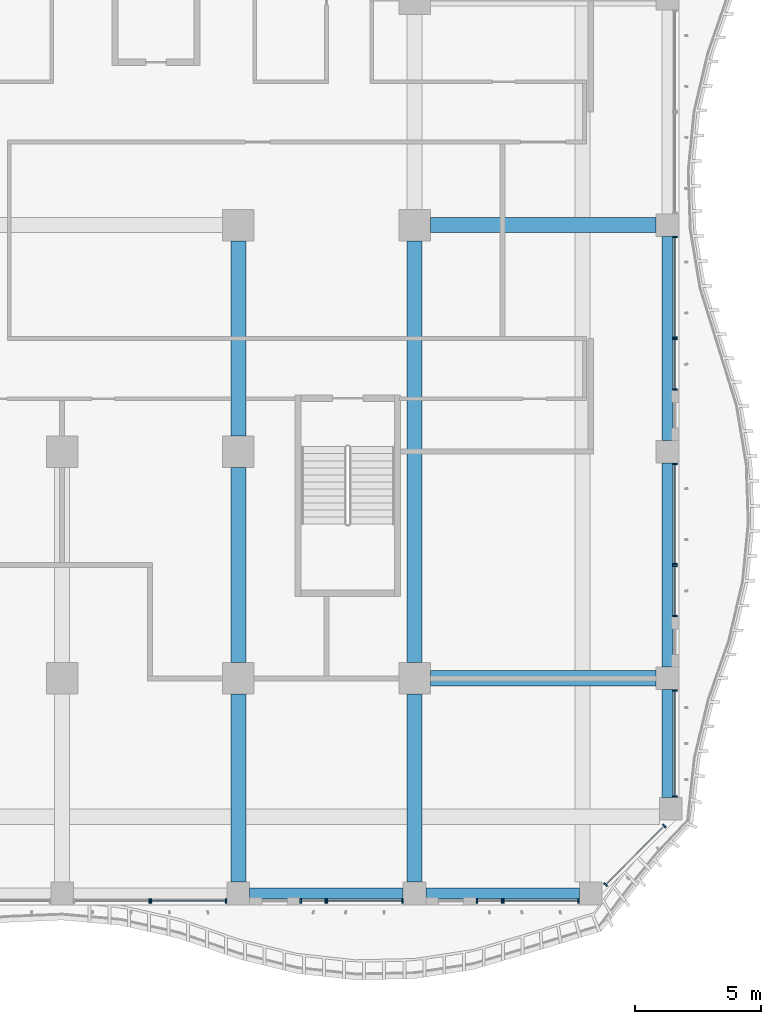
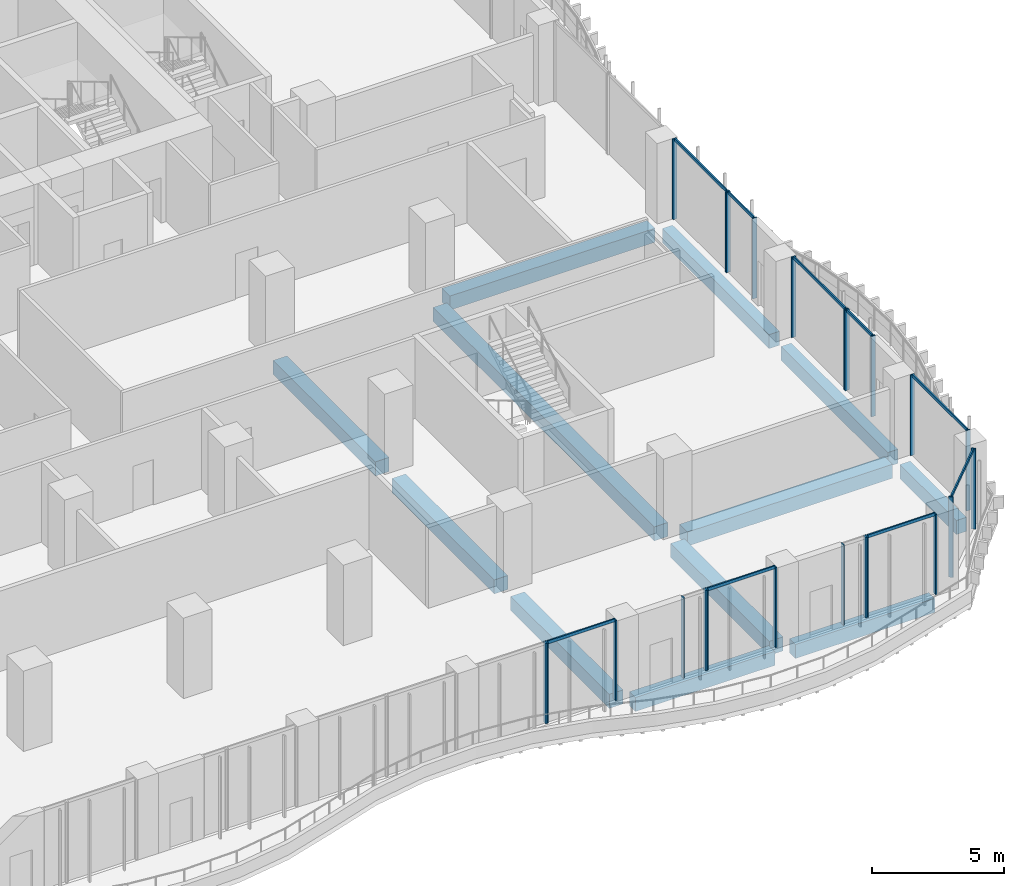
# One storey, part 4 of 25: 32 members, 12 beams, 12 elements without a shape of their own.
"""IFC4 building model written with IfcOpenShell, lengths in metres."""

from ifc_helpers import new_model, si_unit, direction, frame, origin, origin_2d, place, context, subcontext, project, spatial, rectangle, extrude, source, transform, mapped, material, material_profile, profile_set, type_object, element, aggregate, save


model = new_model("IFC4")

# Units and contexts
model_context = context("Model", 3, precision=1e-05, world=origin(), true_north=direction((0.0, 1.0)))
body_context = subcontext(model_context, "Body", "Model", "MODEL_VIEW")
ifc_project = project(units=[si_unit("LENGTHUNIT", "METRE"), si_unit("AREAUNIT", "SQUARE_METRE"), si_unit("VOLUMEUNIT", "CUBIC_METRE"), si_unit("PLANEANGLEUNIT", "RADIAN"), si_unit("MASSUNIT", "GRAM", prefix="KILO")], contexts=[model_context])

# Site, building, storey
site_placement = place(None, origin())
site = spatial("IfcSite", under=ifc_project, at=site_placement, CompositionType="ELEMENT")
building_placement = place(site_placement, origin())
building = spatial("IfcBuilding", under=site, at=building_placement, Name="Kilnfold Tower and Market Hall", CompositionType="ELEMENT")
storey_placement = place(building_placement, frame((0.0, 0.0, 67.199951171875)))
storey = spatial("IfcBuildingStorey", under=building, at=storey_placement, Name="L15", CompositionType="ELEMENT", Elevation=67.199951171875)

# Beams
ifc_material_1 = material(Name="Concrete C45", Category="concrete")
ifc_material_profile_1 = material_profile(ifc_material_1, rectangle(XDim=0.449951171875, YDim=0.64990234375, at=origin_2d()), Name="RC 450x650")
ifc_profile_set_1 = profile_set([ifc_material_profile_1], Name="Concrete C45")
beam_type_1 = type_object("IfcBeamType", Name="EDGE BEAM 450X650 C45", PredefinedType="BEAM", material=ifc_profile_set_1)
shared_shape_1 = source(origin(), body_context, "Body", "SweptSolid", [
    extrude(rectangle(XDim=0.449951171875, YDim=0.64990234375, at=origin_2d()), origin(), (0.0, 0.0, 1.0), 6.10009765625),
])
for number, where, z_axis, x_axis, name in (
    (1, (15.949951171875, -27.550048828125, -0.60498046875), (1.0, 0.0, 0.0), (0.0, 1.0, 0.0), "Beam EB650-B2.65"),
    (2, (22.949951171875, -27.550048828125, -0.60498046875), (1.0, 0.0, 0.0), (0.0, 1.0, 0.0), "Beam EB650-B2.66"),
):
    element("IfcBeam", number, at=place(storey_placement, frame(where, z_axis=z_axis, x_axis=x_axis)), inside=storey, type_object=beam_type_1, Name=name, PredefinedType="BEAM", context=body_context, shape_type="MappedRepresentation", body=[
        mapped(shared_shape_1, transform((0.0, 0.0, 0.0))),
    ])
shared_shape_2 = source(origin(), body_context, "Body", "SweptSolid", [
    extrude(rectangle(XDim=0.449951171875, YDim=0.64990234375, at=origin_2d()), origin(), (0.0, 0.0, 1.0), 8.10009765625),
])
for number, where, z_axis, x_axis, name in (
    (3, (32.550048828125, -18.550048828125, -0.60498046875), (0.0, 1.0, 0.0), (-1.0, 0.0, 0.0), "Beam EB650-B2.100"),
    (4, (32.550048828125, -9.550048828125, -0.60498046875), (0.0, 1.0, 0.0), (-1.0, 0.0, 0.0), "Beam EB650-B2.101"),
):
    element("IfcBeam", number, at=place(storey_placement, frame(where, z_axis=z_axis, x_axis=x_axis)), inside=storey, type_object=beam_type_1, Name=name, PredefinedType="BEAM", context=body_context, shape_type="MappedRepresentation", body=[
        mapped(shared_shape_2, transform((0.0, 0.0, 0.0))),
    ])
shared_shape_3 = source(origin(), body_context, "Body", "SweptSolid", [
    extrude(rectangle(XDim=0.449951171875, YDim=0.64990234375, at=origin_2d()), origin(), (0.0, 0.0, 1.0), 4.28173828125),
])
beam_1_placement = place(storey_placement, frame((32.550048828125, -23.731689453125, -0.60498046875), z_axis=(0.0, 1.0, 0.0), x_axis=(-1.0, 0.0, 0.0)))
element("IfcBeam", 5, at=beam_1_placement, inside=storey, type_object=beam_type_1, Name="Beam EB650-B2.99", PredefinedType="BEAM", context=body_context, shape_type="MappedRepresentation", body=[
    mapped(shared_shape_3, transform((0.0, 0.0, 0.0))),
])
ifc_material_2 = material(Name="Concrete C45", Category="concrete")
ifc_material_profile_2 = material_profile(ifc_material_2, rectangle(XDim=0.60009765625, YDim=0.64990234375, at=origin_2d()), Name="RC 600x650")
ifc_profile_set_2 = profile_set([ifc_material_profile_2], Name="Concrete C45")
beam_type_2 = type_object("IfcBeamType", Name="BEAM 600X650 C45", PredefinedType="BEAM", material=ifc_profile_set_2)
shared_shape_4 = source(origin(), body_context, "Body", "SweptSolid", [
    extrude(rectangle(XDim=0.60009765625, YDim=0.64990234375, at=origin_2d()), origin(), (0.0, 0.0, 1.0), 8.97509765625),
])
for number, where, z_axis, x_axis, name in (
    (6, (23.125, -19.0, -0.60498046875), (1.0, 0.0, 0.0), (0.0, 1.0, 0.0), "Beam BB650-B2.69"),
    (7, (23.125, -1.0, -0.60498046875), (1.0, 0.0, 0.0), (0.0, 1.0, 0.0), "Beam BB650-B2.72"),
):
    element("IfcBeam", number, at=place(storey_placement, frame(where, z_axis=z_axis, x_axis=x_axis)), inside=storey, type_object=beam_type_2, Name=name, PredefinedType="BEAM", context=body_context, shape_type="MappedRepresentation", body=[
        mapped(shared_shape_4, transform((0.0, 0.0, 0.0))),
    ])
shared_shape_5 = source(origin(), body_context, "Body", "SweptSolid", [
    extrude(rectangle(XDim=0.60009765625, YDim=0.64990234375, at=origin_2d()), origin(), (0.0, 0.0, 1.0), 7.47509765625),
])
for number, where, z_axis, x_axis, name in (
    (8, (15.5, -27.10009765625, -0.60498046875), (0.0, 1.0, 0.0), (-1.0, 0.0, 0.0), "Beam BB650-B2.91"),
    (9, (22.5, -27.10009765625, -0.60498046875), (0.0, 1.0, 0.0), (-1.0, 0.0, 0.0), "Beam BB650-B2.94"),
):
    element("IfcBeam", number, at=place(storey_placement, frame(where, z_axis=z_axis, x_axis=x_axis)), inside=storey, type_object=beam_type_2, Name=name, PredefinedType="BEAM", context=body_context, shape_type="MappedRepresentation", body=[
        mapped(shared_shape_5, transform((0.0, 0.0, 0.0))),
    ])
shared_shape_6 = source(origin(), body_context, "Body", "SweptSolid", [
    extrude(rectangle(XDim=0.60009765625, YDim=0.64990234375, at=origin_2d()), origin(), (0.0, 0.0, 1.0), 7.75),
])
for number, where, z_axis, x_axis, name in (
    (10, (15.5, -18.375, -0.60498046875), (0.0, 1.0, 0.0), (-1.0, 0.0, 0.0), "Beam BB650-B2.92"),
    (11, (15.5, -9.375, -0.60498046875), (0.0, 1.0, 0.0), (-1.0, 0.0, 0.0), "Beam BB650-B2.93"),
):
    element("IfcBeam", number, at=place(storey_placement, frame(where, z_axis=z_axis, x_axis=x_axis)), inside=storey, type_object=beam_type_2, Name=name, PredefinedType="BEAM", context=body_context, shape_type="MappedRepresentation", body=[
        mapped(shared_shape_6, transform((0.0, 0.0, 0.0))),
    ])
shared_shape_7 = source(origin(), body_context, "Body", "SweptSolid", [
    extrude(rectangle(XDim=0.60009765625, YDim=0.64990234375, at=origin_2d()), origin(), (0.0, 0.0, 1.0), 16.75),
])
beam_2_placement = place(storey_placement, frame((22.5, -18.375, -0.60498046875), z_axis=(0.0, 1.0, 0.0), x_axis=(-1.0, 0.0, 0.0)))
element("IfcBeam", 12, at=beam_2_placement, inside=storey, type_object=beam_type_2, Name="Beam BB650-B2.95", PredefinedType="BEAM", context=body_context, shape_type="MappedRepresentation", body=[
    mapped(shared_shape_7, transform((0.0, 0.0, 0.0))),
])

# Curtain wall, member
ifc_material_3 = material(Name="Aluminium and double glazing", Category="aluminium")
curtain_wall_type = type_object("IfcCurtainWallType", Name="CW OF1 VALLEY GLAZING", PredefinedType="NOTDEFINED", material=ifc_material_3)
curtain_wall_1_placement = place(storey_placement, origin())
curtain_wall_1 = element("IfcCurtainWall", 13, at=curtain_wall_1_placement, inside=storey, type_object=curtain_wall_type, Name="Curtain wall CW1 L15 S", PredefinedType="NOTDEFINED")
ifc_material_4 = material(Name="Aluminium", Category="aluminium")
ifc_material_profile_3 = material_profile(ifc_material_4, rectangle(XDim=0.06005859375, YDim=0.179931640625, at=origin_2d()), Name="MULLION 60x180")
ifc_profile_set_3 = profile_set([ifc_material_profile_3], Name="Aluminium")
member_type_1 = type_object("IfcMemberType", Name="MULLION 60X180", PredefinedType="MULLION", material=ifc_profile_set_3)
shared_shape_8 = source(origin(), body_context, "Body", "SweptSolid", [
    extrude(rectangle(XDim=0.06005859375, YDim=0.179931640625, at=origin_2d()), origin(), (0.0, 0.0, 1.0), 3.719970703125),
])
member_1_placement = place(storey_placement, frame((11.969970703125, -27.85009765625, 0.0), z_axis=(0.0, 0.0, 1.0), x_axis=(1.0, 0.0, 0.0)))
member_1 = element("IfcMember", 14, at=member_1_placement, type_object=member_type_1, Name="CW1 mullion 2", PredefinedType="MULLION", context=body_context, shape_type="MappedRepresentation", body=[
    mapped(shared_shape_8, transform((0.0, 0.0, 0.0))),
])
aggregate(curtain_wall_1, [member_1])

# Curtain wall, members
curtain_wall_2_placement = place(storey_placement, origin())
curtain_wall_2 = element("IfcCurtainWall", 15, at=curtain_wall_2_placement, inside=storey, type_object=curtain_wall_type, Name="Curtain wall CW1 L15 S", PredefinedType="NOTDEFINED")
member_2_placement = place(storey_placement, frame((12.030029296875, -27.85009765625, 0.0), z_axis=(0.0, 0.0, 1.0), x_axis=(1.0, 0.0, 0.0)))
member_2 = element("IfcMember", 16, at=member_2_placement, type_object=member_type_1, Name="CW1 mullion 1", PredefinedType="MULLION", context=body_context, shape_type="MappedRepresentation", body=[
    mapped(shared_shape_8, transform((0.0, 0.0, 0.0))),
])
member_3_placement = place(storey_placement, frame((15.02001953125, -27.85009765625, 0.0), z_axis=(0.0, 0.0, 1.0), x_axis=(1.0, 0.0, 0.0)))
member_3 = element("IfcMember", 17, at=member_3_placement, type_object=member_type_1, Name="CW1 mullion 2", PredefinedType="MULLION", context=body_context, shape_type="MappedRepresentation", body=[
    mapped(shared_shape_8, transform((0.0, 0.0, 0.0))),
])

curtain_wall_3_placement = place(storey_placement, origin())
curtain_wall_3 = element("IfcCurtainWall", 18, at=curtain_wall_3_placement, inside=storey, type_object=curtain_wall_type, Name="Curtain wall CW1 L15 S", PredefinedType="NOTDEFINED")
member_4_placement = place(storey_placement, frame((17.97998046875, -27.85009765625, 0.0), z_axis=(0.0, 0.0, 1.0), x_axis=(1.0, 0.0, 0.0)))
member_4 = element("IfcMember", 19, at=member_4_placement, type_object=member_type_1, Name="CW1 mullion 1", PredefinedType="MULLION", context=body_context, shape_type="MappedRepresentation", body=[
    mapped(shared_shape_8, transform((0.0, 0.0, 0.0))),
])
member_5_placement = place(storey_placement, frame((18.969970703125, -27.85009765625, 0.0), z_axis=(0.0, 0.0, 1.0), x_axis=(1.0, 0.0, 0.0)))
member_5 = element("IfcMember", 20, at=member_5_placement, type_object=member_type_1, Name="CW1 mullion 2", PredefinedType="MULLION", context=body_context, shape_type="MappedRepresentation", body=[
    mapped(shared_shape_8, transform((0.0, 0.0, 0.0))),
])
aggregate(curtain_wall_3, [member_4, member_5])

curtain_wall_4_placement = place(storey_placement, origin())
curtain_wall_4 = element("IfcCurtainWall", 21, at=curtain_wall_4_placement, inside=storey, type_object=curtain_wall_type, Name="Curtain wall CW1 L15 S", PredefinedType="NOTDEFINED")
member_6_placement = place(storey_placement, frame((19.030029296875, -27.85009765625, 0.0), z_axis=(0.0, 0.0, 1.0), x_axis=(1.0, 0.0, 0.0)))
member_6 = element("IfcMember", 22, at=member_6_placement, type_object=member_type_1, Name="CW1 mullion 1", PredefinedType="MULLION", context=body_context, shape_type="MappedRepresentation", body=[
    mapped(shared_shape_8, transform((0.0, 0.0, 0.0))),
])
member_7_placement = place(storey_placement, frame((22.02001953125, -27.85009765625, 0.0), z_axis=(0.0, 0.0, 1.0), x_axis=(1.0, 0.0, 0.0)))
member_7 = element("IfcMember", 23, at=member_7_placement, type_object=member_type_1, Name="CW1 mullion 2", PredefinedType="MULLION", context=body_context, shape_type="MappedRepresentation", body=[
    mapped(shared_shape_8, transform((0.0, 0.0, 0.0))),
])

curtain_wall_5_placement = place(storey_placement, origin())
curtain_wall_5 = element("IfcCurtainWall", 24, at=curtain_wall_5_placement, inside=storey, type_object=curtain_wall_type, Name="Curtain wall CW1 L15 S", PredefinedType="NOTDEFINED")
member_8_placement = place(storey_placement, frame((24.97998046875, -27.85009765625, 0.0), z_axis=(0.0, 0.0, 1.0), x_axis=(1.0, 0.0, 0.0)))
member_8 = element("IfcMember", 25, at=member_8_placement, type_object=member_type_1, Name="CW1 mullion 1", PredefinedType="MULLION", context=body_context, shape_type="MappedRepresentation", body=[
    mapped(shared_shape_8, transform((0.0, 0.0, 0.0))),
])
member_9_placement = place(storey_placement, frame((25.969970703125, -27.85009765625, 0.0), z_axis=(0.0, 0.0, 1.0), x_axis=(1.0, 0.0, 0.0)))
member_9 = element("IfcMember", 26, at=member_9_placement, type_object=member_type_1, Name="CW1 mullion 2", PredefinedType="MULLION", context=body_context, shape_type="MappedRepresentation", body=[
    mapped(shared_shape_8, transform((0.0, 0.0, 0.0))),
])
aggregate(curtain_wall_5, [member_8, member_9])

curtain_wall_6_placement = place(storey_placement, origin())
curtain_wall_6 = element("IfcCurtainWall", 27, at=curtain_wall_6_placement, inside=storey, type_object=curtain_wall_type, Name="Curtain wall CW1 L15 S", PredefinedType="NOTDEFINED")
member_10_placement = place(storey_placement, frame((26.030029296875, -27.85009765625, 0.0), z_axis=(0.0, 0.0, 1.0), x_axis=(1.0, 0.0, 0.0)))
member_10 = element("IfcMember", 28, at=member_10_placement, type_object=member_type_1, Name="CW1 mullion 1", PredefinedType="MULLION", context=body_context, shape_type="MappedRepresentation", body=[
    mapped(shared_shape_8, transform((0.0, 0.0, 0.0))),
])
member_11_placement = place(storey_placement, frame((29.02001953125, -27.85009765625, 0.0), z_axis=(0.0, 0.0, 1.0), x_axis=(1.0, 0.0, 0.0)))
member_11 = element("IfcMember", 29, at=member_11_placement, type_object=member_type_1, Name="CW1 mullion 2", PredefinedType="MULLION", context=body_context, shape_type="MappedRepresentation", body=[
    mapped(shared_shape_8, transform((0.0, 0.0, 0.0))),
])

curtain_wall_7_placement = place(storey_placement, origin())
curtain_wall_7 = element("IfcCurtainWall", 30, at=curtain_wall_7_placement, inside=storey, type_object=curtain_wall_type, Name="Curtain wall CW1 L15 SE", PredefinedType="NOTDEFINED")
member_12_placement = place(storey_placement, frame((30.090087890625, -27.19775390625, 0.0), z_axis=(0.0, 0.0, 1.0), x_axis=(0.707121667181, 0.707091894879, 0.0)))
member_12 = element("IfcMember", 31, at=member_12_placement, type_object=member_type_1, Name="CW1 mullion 1", PredefinedType="MULLION", context=body_context, shape_type="MappedRepresentation", body=[
    mapped(shared_shape_8, transform((0.0, 0.0, 0.0))),
])
member_13_placement = place(storey_placement, frame((32.4228515625, -24.865234375, 0.0), z_axis=(0.0, 0.0, 1.0), x_axis=(0.707121667181, 0.707091894879, 0.0)))
member_13 = element("IfcMember", 32, at=member_13_placement, type_object=member_type_1, Name="CW1 mullion 2", PredefinedType="MULLION", context=body_context, shape_type="MappedRepresentation", body=[
    mapped(shared_shape_8, transform((0.0, 0.0, 0.0))),
])

curtain_wall_8_placement = place(storey_placement, origin())
curtain_wall_8 = element("IfcCurtainWall", 33, at=curtain_wall_8_placement, inside=storey, type_object=curtain_wall_type, Name="Curtain wall CW1 L15 E", PredefinedType="NOTDEFINED")
member_14_placement = place(storey_placement, frame((32.85009765625, -23.701904296875, 0.0), z_axis=(0.0, 0.0, 1.0), x_axis=(0.0, 1.0, 0.0)))
member_14 = element("IfcMember", 34, at=member_14_placement, type_object=member_type_1, Name="CW1 mullion 1", PredefinedType="MULLION", context=body_context, shape_type="MappedRepresentation", body=[
    mapped(shared_shape_8, transform((0.0, 0.0, 0.0))),
])
member_15_placement = place(storey_placement, frame((32.85009765625, -19.47998046875, 0.0), z_axis=(0.0, 0.0, 1.0), x_axis=(0.0, 1.0, 0.0)))
member_15 = element("IfcMember", 35, at=member_15_placement, type_object=member_type_1, Name="CW1 mullion 2", PredefinedType="MULLION", context=body_context, shape_type="MappedRepresentation", body=[
    mapped(shared_shape_8, transform((0.0, 0.0, 0.0))),
])

curtain_wall_9_placement = place(storey_placement, origin())
curtain_wall_9 = element("IfcCurtainWall", 36, at=curtain_wall_9_placement, inside=storey, type_object=curtain_wall_type, Name="Curtain wall CW1 L15 E", PredefinedType="NOTDEFINED")
member_16_placement = place(storey_placement, frame((32.85009765625, -16.52001953125, 0.0), z_axis=(0.0, 0.0, 1.0), x_axis=(0.0, 1.0, 0.0)))
member_16 = element("IfcMember", 37, at=member_16_placement, type_object=member_type_1, Name="CW1 mullion 1", PredefinedType="MULLION", context=body_context, shape_type="MappedRepresentation", body=[
    mapped(shared_shape_8, transform((0.0, 0.0, 0.0))),
])
member_17_placement = place(storey_placement, frame((32.85009765625, -14.530029296875, 0.0), z_axis=(0.0, 0.0, 1.0), x_axis=(0.0, 1.0, 0.0)))
member_17 = element("IfcMember", 38, at=member_17_placement, type_object=member_type_1, Name="CW1 mullion 2", PredefinedType="MULLION", context=body_context, shape_type="MappedRepresentation", body=[
    mapped(shared_shape_8, transform((0.0, 0.0, 0.0))),
])

curtain_wall_10_placement = place(storey_placement, origin())
curtain_wall_10 = element("IfcCurtainWall", 39, at=curtain_wall_10_placement, inside=storey, type_object=curtain_wall_type, Name="Curtain wall CW1 L15 E", PredefinedType="NOTDEFINED")
member_18_placement = place(storey_placement, frame((32.85009765625, -14.469970703125, 0.0), z_axis=(0.0, 0.0, 1.0), x_axis=(0.0, 1.0, 0.0)))
member_18 = element("IfcMember", 40, at=member_18_placement, type_object=member_type_1, Name="CW1 mullion 1", PredefinedType="MULLION", context=body_context, shape_type="MappedRepresentation", body=[
    mapped(shared_shape_8, transform((0.0, 0.0, 0.0))),
])
member_19_placement = place(storey_placement, frame((32.85009765625, -10.47998046875, 0.0), z_axis=(0.0, 0.0, 1.0), x_axis=(0.0, 1.0, 0.0)))
member_19 = element("IfcMember", 41, at=member_19_placement, type_object=member_type_1, Name="CW1 mullion 2", PredefinedType="MULLION", context=body_context, shape_type="MappedRepresentation", body=[
    mapped(shared_shape_8, transform((0.0, 0.0, 0.0))),
])

curtain_wall_11_placement = place(storey_placement, origin())
curtain_wall_11 = element("IfcCurtainWall", 42, at=curtain_wall_11_placement, inside=storey, type_object=curtain_wall_type, Name="Curtain wall CW1 L15 E", PredefinedType="NOTDEFINED")
member_20_placement = place(storey_placement, frame((32.85009765625, -7.52001953125, 0.0), z_axis=(0.0, 0.0, 1.0), x_axis=(0.0, 1.0, 0.0)))
member_20 = element("IfcMember", 43, at=member_20_placement, type_object=member_type_1, Name="CW1 mullion 1", PredefinedType="MULLION", context=body_context, shape_type="MappedRepresentation", body=[
    mapped(shared_shape_8, transform((0.0, 0.0, 0.0))),
])
member_21_placement = place(storey_placement, frame((32.85009765625, -5.530029296875, 0.0), z_axis=(0.0, 0.0, 1.0), x_axis=(0.0, 1.0, 0.0)))
member_21 = element("IfcMember", 44, at=member_21_placement, type_object=member_type_1, Name="CW1 mullion 2", PredefinedType="MULLION", context=body_context, shape_type="MappedRepresentation", body=[
    mapped(shared_shape_8, transform((0.0, 0.0, 0.0))),
])

curtain_wall_12_placement = place(storey_placement, origin())
curtain_wall_12 = element("IfcCurtainWall", 45, at=curtain_wall_12_placement, inside=storey, type_object=curtain_wall_type, Name="Curtain wall CW1 L15 E", PredefinedType="NOTDEFINED")
member_22_placement = place(storey_placement, frame((32.85009765625, -5.469970703125, 0.0), z_axis=(0.0, 0.0, 1.0), x_axis=(0.0, 1.0, 0.0)))
member_22 = element("IfcMember", 46, at=member_22_placement, type_object=member_type_1, Name="CW1 mullion 1", PredefinedType="MULLION", context=body_context, shape_type="MappedRepresentation", body=[
    mapped(shared_shape_8, transform((0.0, 0.0, 0.0))),
])
member_23_placement = place(storey_placement, frame((32.85009765625, -1.47998046875, 0.0), z_axis=(0.0, 0.0, 1.0), x_axis=(0.0, 1.0, 0.0)))
member_23 = element("IfcMember", 47, at=member_23_placement, type_object=member_type_1, Name="CW1 mullion 2", PredefinedType="MULLION", context=body_context, shape_type="MappedRepresentation", body=[
    mapped(shared_shape_8, transform((0.0, 0.0, 0.0))),
])

# Member
ifc_material_5 = material(Name="Aluminium", Category="aluminium")
ifc_material_profile_4 = material_profile(ifc_material_5, rectangle(XDim=0.06005859375, YDim=0.139892578125, at=origin_2d()), Name="TRANSOM 60x140")
ifc_profile_set_4 = profile_set([ifc_material_profile_4], Name="Aluminium")
member_type_2 = type_object("IfcMemberType", Name="TRANSOM 60X140", PredefinedType="USERDEFINED", material=ifc_profile_set_4)
shared_shape_9 = source(origin(), body_context, "Body", "SweptSolid", [
    extrude(rectangle(XDim=0.06005859375, YDim=0.139892578125, at=origin_2d()), origin(), (0.0, 0.0, 1.0), 2.929931640625),
])
member_24_placement = place(storey_placement, frame((12.06005859375, -27.85009765625, 3.68994140625), z_axis=(1.0, 0.0, 0.0), x_axis=(0.0, 1.0, 0.0)))
member_24 = element("IfcMember", 48, at=member_24_placement, type_object=member_type_2, Name="CW1 transom 1.2", ObjectType="TRANSOM", PredefinedType="USERDEFINED", context=body_context, shape_type="MappedRepresentation", body=[
    mapped(shared_shape_9, transform((0.0, 0.0, 0.0))),
])

aggregate(curtain_wall_2, [member_2, member_3, member_24])

member_25_placement = place(storey_placement, frame((19.06005859375, -27.85009765625, 3.68994140625), z_axis=(1.0, 0.0, 0.0), x_axis=(0.0, 1.0, 0.0)))
member_25 = element("IfcMember", 49, at=member_25_placement, type_object=member_type_2, Name="CW1 transom 1.2", ObjectType="TRANSOM", PredefinedType="USERDEFINED", context=body_context, shape_type="MappedRepresentation", body=[
    mapped(shared_shape_9, transform((0.0, 0.0, 0.0))),
])

aggregate(curtain_wall_4, [member_6, member_7, member_25])

member_26_placement = place(storey_placement, frame((26.06005859375, -27.85009765625, 3.68994140625), z_axis=(1.0, 0.0, 0.0), x_axis=(0.0, 1.0, 0.0)))
member_26 = element("IfcMember", 50, at=member_26_placement, type_object=member_type_2, Name="CW1 transom 1.2", ObjectType="TRANSOM", PredefinedType="USERDEFINED", context=body_context, shape_type="MappedRepresentation", body=[
    mapped(shared_shape_9, transform((0.0, 0.0, 0.0))),
])

aggregate(curtain_wall_6, [member_10, member_11, member_26])

shared_shape_10 = source(origin(), body_context, "Body", "SweptSolid", [
    extrude(rectangle(XDim=0.06005859375, YDim=0.139892578125, at=origin_2d()), origin(), (0.0, 0.0, 1.0), 3.929931640625),
])
member_27_placement = place(storey_placement, frame((32.85009765625, -14.43994140625, 3.68994140625), z_axis=(0.0, 1.0, 0.0), x_axis=(-1.0, 0.0, 0.0)))
member_27 = element("IfcMember", 51, at=member_27_placement, type_object=member_type_2, Name="CW1 transom 1.2", ObjectType="TRANSOM", PredefinedType="USERDEFINED", context=body_context, shape_type="MappedRepresentation", body=[
    mapped(shared_shape_10, transform((0.0, 0.0, 0.0))),
])

aggregate(curtain_wall_10, [member_18, member_19, member_27])

member_28_placement = place(storey_placement, frame((32.85009765625, -5.43994140625, 3.68994140625), z_axis=(0.0, 1.0, 0.0), x_axis=(-1.0, 0.0, 0.0)))
member_28 = element("IfcMember", 52, at=member_28_placement, type_object=member_type_2, Name="CW1 transom 1.2", ObjectType="TRANSOM", PredefinedType="USERDEFINED", context=body_context, shape_type="MappedRepresentation", body=[
    mapped(shared_shape_10, transform((0.0, 0.0, 0.0))),
])

aggregate(curtain_wall_12, [member_22, member_23, member_28])

shared_shape_11 = source(origin(), body_context, "Body", "SweptSolid", [
    extrude(rectangle(XDim=0.06005859375, YDim=0.139892578125, at=origin_2d()), origin(), (0.0, 0.0, 1.0), 1.929931640625),
])
member_29_placement = place(storey_placement, frame((32.85009765625, -16.489990234375, 3.68994140625), z_axis=(0.0, 1.0, 0.0), x_axis=(-1.0, 0.0, 0.0)))
member_29 = element("IfcMember", 53, at=member_29_placement, type_object=member_type_2, Name="CW1 transom 1.2", ObjectType="TRANSOM", PredefinedType="USERDEFINED", context=body_context, shape_type="MappedRepresentation", body=[
    mapped(shared_shape_11, transform((0.0, 0.0, 0.0))),
])

aggregate(curtain_wall_9, [member_16, member_17, member_29])

member_30_placement = place(storey_placement, frame((32.85009765625, -7.489990234375, 3.68994140625), z_axis=(0.0, 1.0, 0.0), x_axis=(-1.0, 0.0, 0.0)))
member_30 = element("IfcMember", 54, at=member_30_placement, type_object=member_type_2, Name="CW1 transom 1.2", ObjectType="TRANSOM", PredefinedType="USERDEFINED", context=body_context, shape_type="MappedRepresentation", body=[
    mapped(shared_shape_11, transform((0.0, 0.0, 0.0))),
])

aggregate(curtain_wall_11, [member_20, member_21, member_30])

shared_shape_12 = source(origin(), body_context, "Body", "SweptSolid", [
    extrude(rectangle(XDim=0.06005859375, YDim=0.139892578125, at=origin_2d()), origin(), (0.0, 0.0, 1.0), 4.161865234375),
])
member_31_placement = place(storey_placement, frame((32.85009765625, -23.671875, 3.68994140625), z_axis=(0.0, 1.0, 0.0), x_axis=(-1.0, 0.0, 0.0)))
member_31 = element("IfcMember", 55, at=member_31_placement, type_object=member_type_2, Name="CW1 transom 1.2", ObjectType="TRANSOM", PredefinedType="USERDEFINED", context=body_context, shape_type="MappedRepresentation", body=[
    mapped(shared_shape_12, transform((0.0, 0.0, 0.0))),
])

aggregate(curtain_wall_8, [member_14, member_15, member_31])

shared_shape_13 = source(origin(), body_context, "Body", "SweptSolid", [
    extrude(rectangle(XDim=0.06005859375, YDim=0.139892578125, at=origin_2d()), origin(), (0.0, 0.0, 1.0), 3.239013671875),
])
member_32_placement = place(storey_placement, frame((30.111328125, -27.176513671875, 3.68994140625), z_axis=(0.707106781187, 0.707106781187, 0.0), x_axis=(-0.707106781187, 0.707106781187, 0.0)))
member_32 = element("IfcMember", 56, at=member_32_placement, type_object=member_type_2, Name="CW1 transom 1.2", ObjectType="TRANSOM", PredefinedType="USERDEFINED", context=body_context, shape_type="MappedRepresentation", body=[
    mapped(shared_shape_13, transform((0.0, 0.0, 0.0))),
])

aggregate(curtain_wall_7, [member_12, member_13, member_32])

save(model, "model.ifc")
